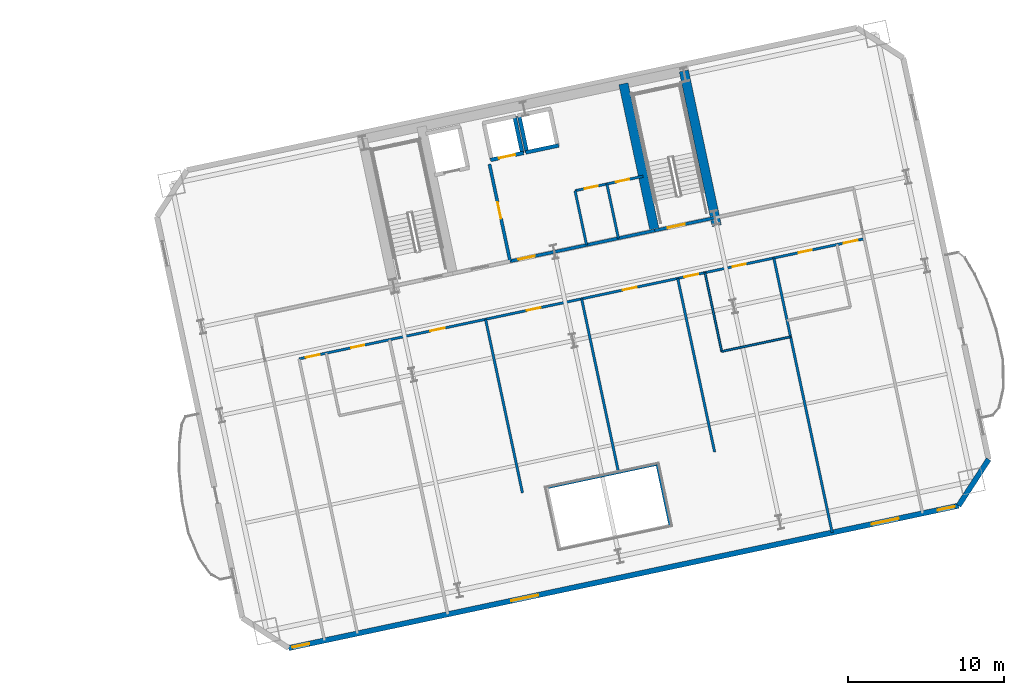
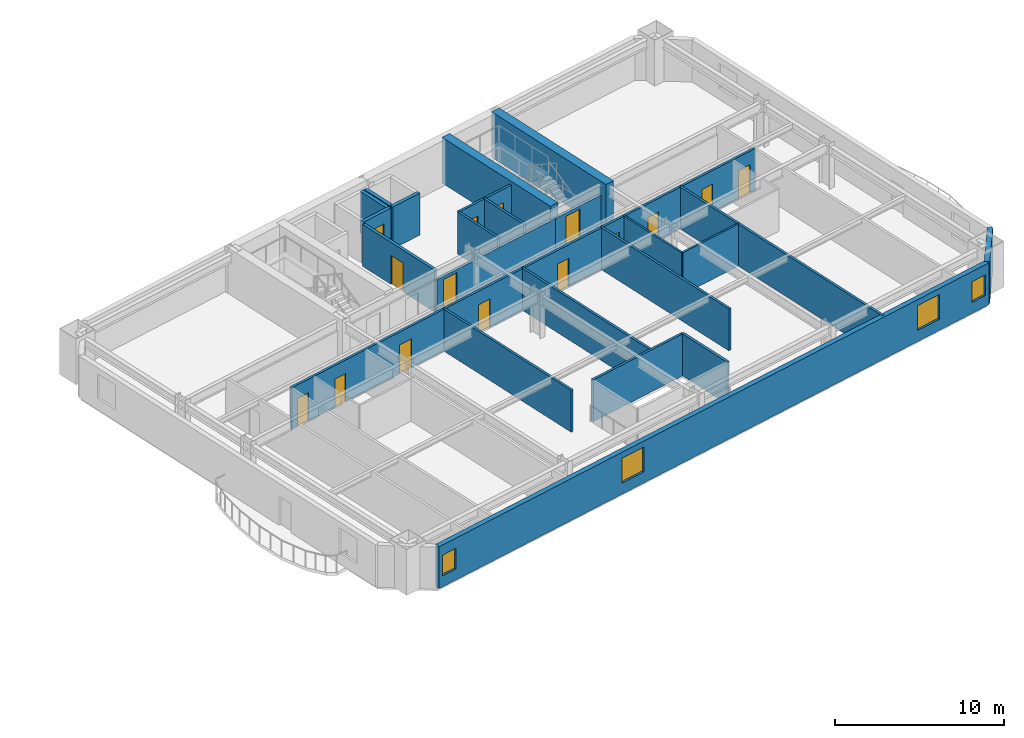
# One storey, part 8 of 16: 23 walls, 15 doors, 4 windows, 19 openings.
"""IFC4 building model written with IfcOpenShell, lengths in metres."""

from ifc_helpers import new_model, si_unit, direction, frame, frame_2d, origin, place, context, subcontext, project, spatial, rectangle, extrude, material, layer, layer_set, type_object, element, fill, save


model = new_model("IFC4")

# Units and contexts
model_context = context("Model", 3, precision=1e-05, world=origin(), true_north=direction((0.0, 1.0)))
body_context = subcontext(model_context, "Body", "Model", "MODEL_VIEW")
ifc_project = project(units=[si_unit("LENGTHUNIT", "METRE"), si_unit("AREAUNIT", "SQUARE_METRE"), si_unit("VOLUMEUNIT", "CUBIC_METRE"), si_unit("PLANEANGLEUNIT", "RADIAN"), si_unit("MASSUNIT", "GRAM", prefix="KILO")], contexts=[model_context])

# Site, building, storey
site_placement = place(None, origin())
site = spatial("IfcSite", under=ifc_project, at=site_placement, CompositionType="ELEMENT")
building_placement = place(site_placement, origin())
building = spatial("IfcBuilding", under=site, at=building_placement, Name="Haevon Station Towers", CompositionType="ELEMENT")
storey_placement = place(building_placement, frame((0.0, 0.0, 53.699951171875)))
storey = spatial("IfcBuildingStorey", under=building, at=storey_placement, Name="L13", CompositionType="ELEMENT", Elevation=53.699951171875)

# Wall
ifc_material_1 = material(Name="Gypsum board on steel stud", Category="steel")
ifc_layer_1 = layer(ifc_material_1, 0.179931640625)
ifc_layer_set_1 = layer_set([ifc_layer_1], Name="Gypsum board on steel stud")
wall_type_1 = type_object("IfcWallType", Name="WL-ACU180", PredefinedType="PARTITIONING", material=ifc_layer_set_1)
wall_1_placement = place(storey_placement, frame((116.421875, 22.131591796875, 0.0), z_axis=(0.0, 0.0, 1.0), x_axis=(-0.207944891454, 0.978140543132, 0.0)))
element("IfcWall", 1, at=wall_1_placement, inside=storey, type_object=wall_type_1, Name="WL-T2PT-L13-09", PredefinedType="PARTITIONING", context=body_context, shape_type="SweptSolid", body=[
    extrude(rectangle(XDim=4.0, YDim=0.179931640625, at=frame_2d((2.0, 0.0))), origin(), (0.0, 0.0, 1.0), 3.030029296875),
])

# Wall, opening, door
ifc_layer_2 = layer(ifc_material_1, 0.199951171875)
ifc_layer_set_2 = layer_set([ifc_layer_2], Name="Gypsum board on steel stud")
wall_type_2 = type_object("IfcWallType", Name="WL-COR200", PredefinedType="PARTITIONING", material=ifc_layer_set_2)
wall_2_placement = place(storey_placement, frame((115.4296875, 40.9873046875, 0.0), z_axis=(0.0, 0.0, 1.0), x_axis=(0.978146596989, 0.207916413008, 0.0)))
wall_2 = element("IfcWall", 2, at=wall_2_placement, inside=storey, type_object=wall_type_2, Name="WL-ST-ST4-L13", PredefinedType="PARTITIONING", context=body_context, shape_type="SweptSolid", body=[
    extrude(rectangle(XDim=3.9501953125, YDim=0.199951171875, at=frame_2d((1.97509765625, 0.0))), origin(), (0.0, 0.0, 1.0), 2.330078125),
])
opening_1_placement = place(wall_2_placement, frame((0.85009765625, 0.0, 0.0)))
opening_1 = element("IfcOpeningElement", 3, at=opening_1_placement, cuts=wall_2, Name="Opening DR-ST-ST4-L13", PredefinedType="OPENING", context=body_context, shape_type="SweptSolid", body=[
    extrude(rectangle(XDim=1.1201171875, YDim=2.10009765625, at=frame_2d((0.56005859375, 1.050048828125))), frame((0.0, 0.10986328125, 0.0), z_axis=(0.0, -1.0, 0.0), x_axis=(1.0, 0.0, 0.0)), (0.0, 0.0, 1.0), 0.219970703125),
])
ifc_material_2 = material(Name="Engineered oak timber", Category="wood")
door_type_1 = type_object("IfcDoorType", Name="DR-ST-1120", OperationType="NOTDEFINED", PredefinedType="DOOR", material=ifc_material_2)
door_1_placement = place(opening_1_placement, origin())
door_1 = element("IfcDoor", 4, at=door_1_placement, inside=storey, type_object=door_type_1, Name="L13 Escape Stair ST4 Fire Door", OperationType="SINGLE_SWING_LEFT", OverallHeight=2.10009765625, OverallWidth=1.1201171875, PredefinedType="DOOR", context=body_context, shape_type="SweptSolid", body=[
    extrude(rectangle(XDim=1.1201171875, YDim=2.10009765625, at=frame_2d((0.56005859375, 1.050048828125))), frame((0.0, 0.02490234375, 0.0), z_axis=(0.0, -1.0, 0.0), x_axis=(1.0, 0.0, 0.0)), (0.0, 0.0, 1.0), 0.050048828125),
])
fill(opening_1, door_1)

wall_3_placement = place(storey_placement, frame((106.186279296875, 39.0224609375, 0.0), z_axis=(0.0, 0.0, 1.0), x_axis=(-0.207916691923, 0.978146537703, 0.0)))
wall_3 = element("IfcWall", 5, at=wall_3_placement, inside=storey, type_object=wall_type_2, Name="WL-T2FFL-L13-E", PredefinedType="PARTITIONING", context=body_context, shape_type="SweptSolid", body=[
    extrude(rectangle(XDim=6.35009765625, YDim=0.199951171875, at=frame_2d((3.175048828125, 0.0))), origin(), (0.0, 0.0, 1.0), 3.030029296875),
])
opening_2_placement = place(wall_3_placement, frame((2.800048828125, 0.0, 0.0)))
opening_2 = element("IfcOpeningElement", 6, at=opening_2_placement, cuts=wall_3, Name="Opening DR-T2FFL-L13-E", PredefinedType="OPENING", context=body_context, shape_type="SweptSolid", body=[
    extrude(rectangle(XDim=1.050048828125, YDim=2.10009765625, at=frame_2d((0.52490234375, 1.050048828125))), frame((0.0, 0.10986328125, 0.0), z_axis=(0.0, -1.0, 0.0), x_axis=(1.0, 0.0, 0.0)), (0.0, 0.0, 1.0), 0.219970703125),
])
door_type_2 = type_object("IfcDoorType", Name="DR-FD60-1050", OperationType="NOTDEFINED", PredefinedType="DOOR", material=ifc_material_2)
door_2_placement = place(opening_2_placement, origin())
door_2 = element("IfcDoor", 7, at=door_2_placement, inside=storey, type_object=door_type_2, Name="L13 Tower 2 Firefighting Lift Lobby Door E", OperationType="SINGLE_SWING_RIGHT", OverallHeight=2.10009765625, OverallWidth=1.050048828125, PredefinedType="DOOR", context=body_context, shape_type="SweptSolid", body=[
    extrude(rectangle(XDim=1.050048828125, YDim=2.10009765625, at=frame_2d((0.52490234375, 1.050048828125))), frame((0.0, 0.02490234375, 0.0), z_axis=(0.0, -1.0, 0.0), x_axis=(1.0, 0.0, 0.0)), (0.0, 0.0, 1.0), 0.050048828125),
])
fill(opening_2, door_2)

wall_4_placement = place(storey_placement, frame((106.186279296875, 39.0224609375, 0.0), z_axis=(0.0, 0.0, 1.0), x_axis=(0.978145519981, 0.20792147975, 0.0)))
wall_4 = element("IfcWall", 8, at=wall_4_placement, inside=storey, type_object=wall_type_2, Name="WL-T2CLB-L13", PredefinedType="PARTITIONING", context=body_context, shape_type="SweptSolid", body=[
    extrude(rectangle(XDim=9.449951171875, YDim=0.199951171875, at=frame_2d((4.72509765625, 0.0))), origin(), (0.0, 0.0, 1.0), 2.330078125),
])
opening_3_placement = place(wall_4_placement, frame((0.550048828125, 0.0, 0.0)))
opening_3 = element("IfcOpeningElement", 9, at=opening_3_placement, cuts=wall_4, Name="Opening DR-T2CLB-L13-1", PredefinedType="OPENING", context=body_context, shape_type="SweptSolid", body=[
    extrude(rectangle(XDim=1.050048828125, YDim=2.10009765625, at=frame_2d((0.52490234375, 1.050048828125))), frame((0.0, 0.10986328125, 0.0), z_axis=(0.0, -1.0, 0.0), x_axis=(1.0, 0.0, 0.0)), (0.0, 0.0, 1.0), 0.219970703125),
])
door_3_placement = place(opening_3_placement, origin())
door_3 = element("IfcDoor", 10, at=door_3_placement, inside=storey, type_object=door_type_2, Name="L13 Tower 2 Core Lift Lobby Door 1", OperationType="SINGLE_SWING_RIGHT", OverallHeight=2.10009765625, OverallWidth=1.050048828125, PredefinedType="DOOR", context=body_context, shape_type="SweptSolid", body=[
    extrude(rectangle(XDim=1.050048828125, YDim=2.10009765625, at=frame_2d((0.52490234375, 1.050048828125))), frame((0.0, 0.02490234375, 0.0), z_axis=(0.0, -1.0, 0.0), x_axis=(1.0, 0.0, 0.0)), (0.0, 0.0, 1.0), 0.050048828125),
])
fill(opening_3, door_3)

# Walls
ifc_material_3 = material(Name="Concrete C60/75", Category="concrete")
ifc_layer_3 = layer(ifc_material_3, 0.60009765625)
ifc_layer_set_3 = layer_set([ifc_layer_3], Name="Concrete C60/75")
wall_type_3 = type_object("IfcWallType", Name="WL-CR600", PredefinedType="SHEAR", material=ifc_layer_set_3)
wall_5_placement = place(storey_placement, frame((119.401611328125, 41.2998046875, 0.0), z_axis=(0.0, 0.0, 1.0), x_axis=(-0.207904342798, 0.978149162575, 0.0)))
element("IfcWall", 11, at=wall_5_placement, inside=storey, type_object=wall_type_3, Name="WL-T2CR-L13-E", PredefinedType="SHEAR", context=body_context, shape_type="SweptSolid", body=[
    extrude(rectangle(XDim=10.1201171875, YDim=0.60009765625, at=frame_2d((5.06005859375, 0.0))), origin(), (0.0, 0.0, 1.0), 3.300048828125),
])
wall_6_placement = place(storey_placement, frame((115.4296875, 40.9873046875, 0.0), z_axis=(0.0, 0.0, 1.0), x_axis=(-0.207903162969, 0.978149413345, 0.0)))
element("IfcWall", 12, at=wall_6_placement, inside=storey, type_object=wall_type_3, Name="WL-T2CR-L13-M2", PredefinedType="SHEAR", context=body_context, shape_type="SweptSolid", body=[
    extrude(rectangle(XDim=9.599853515625, YDim=0.60009765625, at=frame_2d((4.7998046875, 0.0))), origin(), (0.0, 0.0, 1.0), 3.300048828125),
])

# Wall, openings, windows
ifc_material_4 = material(Name="Precast concrete C45/55", Category="concrete")
ifc_layer_4 = layer(ifc_material_4, 0.340087890625)
ifc_layer_set_4 = layer_set([ifc_layer_4], Name="Precast concrete C45/55")
wall_type_4 = type_object("IfcWallType", Name="WL-EXT-PIER340", PredefinedType="SOLIDWALL", material=ifc_layer_set_4)
wall_7_placement = place(storey_placement, frame((134.862548828125, 23.39306640625, 0.0), z_axis=(0.0, 0.0, 1.0), x_axis=(-0.978148154167, -0.207909087104, 0.0)))
wall_7 = element("IfcWall", 13, at=wall_7_placement, inside=storey, type_object=wall_type_4, Name="WL-T2-L13-S", PredefinedType="SOLIDWALL", context=body_context, shape_type="SweptSolid", body=[
    extrude(rectangle(XDim=43.800048828125, YDim=0.340087890625, at=frame_2d((21.89990234375, 0.0))), origin(), (0.0, 0.0, 1.0), 3.030029296875),
])
opening_4_placement = place(wall_7_placement, frame((42.449951171875, 0.0, 0.800048828125)))
opening_4 = element("IfcOpeningElement", 14, at=opening_4_placement, cuts=wall_7, Name="Opening WN-COR110", PredefinedType="OPENING", context=body_context, shape_type="SweptSolid", body=[
    extrude(rectangle(XDim=1.10009765625, YDim=1.5, at=frame_2d((0.550048828125, 0.75))), frame((0.0, 0.179931640625, 0.0), z_axis=(0.0, -1.0, 0.0), x_axis=(1.0, 0.0, 0.0)), (0.0, 0.0, 1.0), 0.360107421875),
])
opening_5_placement = place(wall_7_placement, frame((0.25, 0.0, 0.800048828125)))
opening_5 = element("IfcOpeningElement", 15, at=opening_5_placement, cuts=wall_7, Name="Opening WN-COR110", PredefinedType="OPENING", context=body_context, shape_type="SweptSolid", body=[
    extrude(rectangle(XDim=1.10009765625, YDim=1.5, at=frame_2d((0.550048828125, 0.75))), frame((0.0, 0.179931640625, 0.0), z_axis=(0.0, -1.0, 0.0), x_axis=(1.0, 0.0, 0.0)), (0.0, 0.0, 1.0), 0.360107421875),
])
opening_6_placement = place(wall_7_placement, frame((27.486572265625, 0.0, 0.800048828125)))
opening_6 = element("IfcOpeningElement", 16, at=opening_6_placement, cuts=wall_7, Name="Opening WN-P175", PredefinedType="OPENING", context=body_context, shape_type="SweptSolid", body=[
    extrude(rectangle(XDim=1.75, YDim=1.800048828125, at=frame_2d((0.875, 0.89990234375))), frame((0.0, 0.179931640625, 0.0), z_axis=(0.0, -1.0, 0.0), x_axis=(1.0, 0.0, 0.0)), (0.0, 0.0, 1.0), 0.360107421875),
])
opening_7_placement = place(wall_7_placement, frame((3.920654296875, 0.0, 0.800048828125)))
opening_7 = element("IfcOpeningElement", 17, at=opening_7_placement, cuts=wall_7, Name="Opening WN-P175", PredefinedType="OPENING", context=body_context, shape_type="SweptSolid", body=[
    extrude(rectangle(XDim=1.75, YDim=1.800048828125, at=frame_2d((0.875, 0.89990234375))), frame((0.0, 0.179931640625, 0.0), z_axis=(0.0, -1.0, 0.0), x_axis=(1.0, 0.0, 0.0)), (0.0, 0.0, 1.0), 0.360107421875),
])
ifc_material_5 = material(Name="Low-E triple glazing in thermally broken aluminium", Category="aluminium")
window_type_1 = type_object("IfcWindowType", Name="WN-COR110", PartitioningType="SINGLE_PANEL", PredefinedType="WINDOW", material=ifc_material_5)
window_1_placement = place(opening_4_placement, origin())
window_1 = element("IfcWindow", 18, at=window_1_placement, inside=storey, type_object=window_type_1, Name="WN-T2-L13-S01", OverallHeight=1.5, OverallWidth=1.10009765625, PartitioningType="SINGLE_PANEL", PredefinedType="WINDOW", context=body_context, shape_type="SweptSolid", body=[
    extrude(rectangle(XDim=1.10009765625, YDim=1.5, at=frame_2d((0.550048828125, 0.75))), frame((0.0, 0.030029296875, 0.0), z_axis=(0.0, -1.0, 0.0), x_axis=(1.0, 0.0, 0.0)), (0.0, 0.0, 1.0), 0.06005859375),
])
fill(opening_4, window_1)
window_2_placement = place(opening_5_placement, origin())
window_2 = element("IfcWindow", 19, at=window_2_placement, inside=storey, type_object=window_type_1, Name="WN-T2-L13-S02", OverallHeight=1.5, OverallWidth=1.10009765625, PartitioningType="SINGLE_PANEL", PredefinedType="WINDOW", context=body_context, shape_type="SweptSolid", body=[
    extrude(rectangle(XDim=1.10009765625, YDim=1.5, at=frame_2d((0.550048828125, 0.75))), frame((0.0, 0.030029296875, 0.0), z_axis=(0.0, -1.0, 0.0), x_axis=(1.0, 0.0, 0.0)), (0.0, 0.0, 1.0), 0.06005859375),
])
fill(opening_5, window_2)
window_type_2 = type_object("IfcWindowType", Name="WN-P175", PartitioningType="SINGLE_PANEL", PredefinedType="WINDOW", material=ifc_material_5)
window_3_placement = place(opening_6_placement, origin())
window_3 = element("IfcWindow", 20, at=window_3_placement, inside=storey, type_object=window_type_2, Name="WN-T2-L13-S03", OverallHeight=1.800048828125, OverallWidth=1.75, PartitioningType="SINGLE_PANEL", PredefinedType="WINDOW", context=body_context, shape_type="SweptSolid", body=[
    extrude(rectangle(XDim=1.75, YDim=1.800048828125, at=frame_2d((0.875, 0.89990234375))), frame((0.0, 0.030029296875, 0.0), z_axis=(0.0, -1.0, 0.0), x_axis=(1.0, 0.0, 0.0)), (0.0, 0.0, 1.0), 0.06005859375),
])
fill(opening_6, window_3)
window_4_placement = place(opening_7_placement, origin())
window_4 = element("IfcWindow", 21, at=window_4_placement, inside=storey, type_object=window_type_2, Name="WN-T2-L13-S04", OverallHeight=1.800048828125, OverallWidth=1.75, PartitioningType="SINGLE_PANEL", PredefinedType="WINDOW", context=body_context, shape_type="SweptSolid", body=[
    extrude(rectangle(XDim=1.75, YDim=1.800048828125, at=frame_2d((0.875, 0.89990234375))), frame((0.0, 0.030029296875, 0.0), z_axis=(0.0, -1.0, 0.0), x_axis=(1.0, 0.0, 0.0)), (0.0, 0.0, 1.0), 0.06005859375),
])
fill(opening_7, window_4)

# Walls
wall_8_placement = place(storey_placement, frame((136.7880859375, 26.358154296875, 0.0), z_axis=(0.0, 0.0, 1.0), x_axis=(-0.544636352948, -0.838672309694, 0.0)))
element("IfcWall", 22, at=wall_8_placement, inside=storey, type_object=wall_type_4, Name="WL-T2-L13-SEC", PredefinedType="SOLIDWALL", context=body_context, shape_type="SweptSolid", body=[
    extrude(rectangle(XDim=3.535400390625, YDim=0.340087890625, at=frame_2d((1.767578125, 0.0))), origin(), (0.0, 0.0, 1.0), 3.030029296875),
])
ifc_layer_5 = layer(ifc_material_1, 0.125)
ifc_layer_set_5 = layer_set([ifc_layer_5], Name="Gypsum board on steel stud")
wall_type_5 = type_object("IfcWallType", Name="WL-PRT125", PredefinedType="PARTITIONING", material=ifc_layer_set_5)
wall_9_placement = place(storey_placement, frame((119.717529296875, 33.25537109375, 0.0), z_axis=(0.0, 0.0, 1.0), x_axis=(0.978141617635, 0.207939837095, 0.0)))
element("IfcWall", 23, at=wall_9_placement, inside=storey, type_object=wall_type_5, Name="WL-T2PT-L13-18", PredefinedType="PARTITIONING", context=body_context, shape_type="SweptSolid", body=[
    extrude(rectangle(XDim=4.50146484375, YDim=0.125, at=frame_2d((2.250732421875, 0.0))), origin(), (0.0, 0.0, 1.0), 3.030029296875),
])
wall_10_placement = place(storey_placement, frame((119.717529296875, 33.25537109375, 0.0), z_axis=(0.0, 0.0, 1.0), x_axis=(-0.207934097981, 0.978142837676, 0.0)))
element("IfcWall", 24, at=wall_10_placement, inside=storey, type_object=wall_type_5, Name="WL-T2PT-L13-19", PredefinedType="PARTITIONING", context=body_context, shape_type="SweptSolid", body=[
    extrude(rectangle(XDim=5.154296875, YDim=0.125, at=frame_2d((2.5771484375, 0.0))), origin(), (0.0, 0.0, 1.0), 3.030029296875),
])
ifc_layer_6 = layer(ifc_material_1, 0.159912109375)
ifc_layer_set_6 = layer_set([ifc_layer_6], Name="Gypsum board on steel stud")
wall_type_6 = type_object("IfcWallType", Name="WL-PRT160", PredefinedType="PARTITIONING", material=ifc_layer_set_6)
for number, where, z_axis, x_axis, name in (
    (25, (111.076904296875, 40.06201171875, 0.0), (0.0, 0.0, 1.0), (-0.207899058817, 0.978150285663, 0.0), "WL-T2CW-L13-01"),
    (26, (113.111572265625, 40.49462890625, 0.0), (0.0, 0.0, 1.0), (-0.207899058817, 0.978150285663, 0.0), "WL-T2CW-L13-02"),
):
    element("IfcWall", number, at=place(storey_placement, frame(where, z_axis=z_axis, x_axis=x_axis)), inside=storey, type_object=wall_type_6, Name=name, PredefinedType="PARTITIONING", context=body_context, shape_type="SweptSolid", body=[
        extrude(rectangle(XDim=3.550048828125, YDim=0.159912109375, at=frame_2d((1.77490234375, 0.0))), origin(), (0.0, 0.0, 1.0), 3.030029296875),
    ])

# Wall, openings, doors
wall_11_placement = place(storey_placement, frame((110.3388671875, 43.534423828125, 0.0), z_axis=(0.0, 0.0, 1.0), x_axis=(0.978143929138, 0.207928963567, 0.0)))
wall_11 = element("IfcWall", 27, at=wall_11_placement, inside=storey, type_object=wall_type_6, Name="WL-T2CW-L13-03", PredefinedType="PARTITIONING", context=body_context, shape_type="SweptSolid", body=[
    extrude(rectangle(XDim=4.449951171875, YDim=0.159912109375, at=frame_2d((2.22509765625, 0.0))), origin(), (0.0, 0.0, 1.0), 3.030029296875),
])
opening_8_placement = place(wall_11_placement, frame((0.635009765625, 0.0, 0.0)))
opening_8 = element("IfcOpeningElement", 28, at=opening_8_placement, cuts=wall_11, Name="Opening DR-WL-T2CW-L13-03-1", PredefinedType="OPENING", context=body_context, shape_type="SweptSolid", body=[
    extrude(rectangle(XDim=0.85009765625, YDim=2.050048828125, at=frame_2d((0.425048828125, 1.02490234375))), frame((0.0, 0.08984375, 0.0), z_axis=(0.0, -1.0, 0.0), x_axis=(1.0, 0.0, 0.0)), (0.0, 0.0, 1.0), 0.179931640625),
])
opening_9_placement = place(wall_11_placement, frame((2.679931640625, 0.0, 0.0)))
opening_9 = element("IfcOpeningElement", 29, at=opening_9_placement, cuts=wall_11, Name="Opening DR-WL-T2CW-L13-03-2", PredefinedType="OPENING", context=body_context, shape_type="SweptSolid", body=[
    extrude(rectangle(XDim=0.85009765625, YDim=2.050048828125, at=frame_2d((0.425048828125, 1.02490234375))), frame((0.0, 0.08984375, 0.0), z_axis=(0.0, -1.0, 0.0), x_axis=(1.0, 0.0, 0.0)), (0.0, 0.0, 1.0), 0.179931640625),
])
door_type_3 = type_object("IfcDoorType", Name="DR-FD30-850", OperationType="NOTDEFINED", PredefinedType="DOOR", material=ifc_material_2)
door_4_placement = place(opening_8_placement, origin())
door_4 = element("IfcDoor", 30, at=door_4_placement, inside=storey, type_object=door_type_3, Name="L13 Tower 2 Core Room Door 3-1", OperationType="SINGLE_SWING_LEFT", OverallHeight=2.050048828125, OverallWidth=0.85009765625, PredefinedType="DOOR", context=body_context, shape_type="SweptSolid", body=[
    extrude(rectangle(XDim=0.85009765625, YDim=2.050048828125, at=frame_2d((0.425048828125, 1.02490234375))), frame((0.0, 0.02490234375, 0.0), z_axis=(0.0, -1.0, 0.0), x_axis=(1.0, 0.0, 0.0)), (0.0, 0.0, 1.0), 0.050048828125),
])
fill(opening_8, door_4)
door_5_placement = place(opening_9_placement, origin())
door_5 = element("IfcDoor", 31, at=door_5_placement, inside=storey, type_object=door_type_3, Name="L13 Tower 2 Core Room Door 3-2", OperationType="SINGLE_SWING_RIGHT", OverallHeight=2.050048828125, OverallWidth=0.85009765625, PredefinedType="DOOR", context=body_context, shape_type="SweptSolid", body=[
    extrude(rectangle(XDim=0.85009765625, YDim=2.050048828125, at=frame_2d((0.425048828125, 1.02490234375))), frame((0.0, 0.02490234375, 0.0), z_axis=(0.0, -1.0, 0.0), x_axis=(1.0, 0.0, 0.0)), (0.0, 0.0, 1.0), 0.050048828125),
])
fill(opening_9, door_5)

# Walls
wall_12_placement = place(storey_placement, frame((108.54736328125, 24.547119140625, 0.0), z_axis=(0.0, 0.0, 1.0), x_axis=(0.978144974276, 0.207924046946, 0.0)))
element("IfcWall", 32, at=wall_12_placement, inside=storey, type_object=wall_type_6, Name="WL-T2PT-L13-07", PredefinedType="PARTITIONING", context=body_context, shape_type="SweptSolid", body=[
    extrude(rectangle(XDim=7.2001953125, YDim=0.159912109375, at=frame_2d((3.60009765625, 0.0))), origin(), (0.0, 0.0, 1.0), 3.030029296875),
])
for number, where, z_axis, x_axis, name in (
    (33, (106.97607421875, 24.213134765625, 0.0), (0.0, 0.0, 1.0), (-0.20791586684, 0.978146713084, 0.0), "WL-T2PT-L13-13"),
    (34, (113.120361328125, 25.51904296875, 0.0), (0.0, 0.0, 1.0), (-0.20791586684, 0.978146713084, 0.0), "WL-T2PT-L13-14"),
):
    element("IfcWall", number, at=place(storey_placement, frame(where, z_axis=z_axis, x_axis=x_axis)), inside=storey, type_object=wall_type_6, Name=name, PredefinedType="PARTITIONING", context=body_context, shape_type="SweptSolid", body=[
        extrude(rectangle(XDim=11.35009765625, YDim=0.159912109375, at=frame_2d((5.675048828125, 0.0))), origin(), (0.0, 0.0, 1.0), 3.030029296875),
    ])
wall_13_placement = place(storey_placement, frame((119.2646484375, 26.8251953125, 0.0), z_axis=(0.0, 0.0, 1.0), x_axis=(-0.20792024147, 0.978145783197, 0.0)))
element("IfcWall", 35, at=wall_13_placement, inside=storey, type_object=wall_type_6, Name="WL-T2PT-L13-16", PredefinedType="PARTITIONING", context=body_context, shape_type="SweptSolid", body=[
    extrude(rectangle(XDim=11.349853515625, YDim=0.159912109375, at=frame_2d((5.6748046875, 0.0))), origin(), (0.0, 0.0, 1.0), 3.030029296875),
])
wall_14_placement = place(storey_placement, frame((126.781005859375, 21.67529296875, 0.0), z_axis=(0.0, 0.0, 1.0), x_axis=(-0.207906091967, 0.978148790789, 0.0)))
element("IfcWall", 36, at=wall_14_placement, inside=storey, type_object=wall_type_6, Name="WL-T2PT-L13-20", PredefinedType="PARTITIONING", context=body_context, shape_type="SweptSolid", body=[
    extrude(rectangle(XDim=17.9501953125, YDim=0.159912109375, at=frame_2d((8.97509765625, 0.0))), origin(), (0.0, 0.0, 1.0), 3.030029296875),
])

# Wall, openings, doors
wall_15_placement = place(storey_placement, frame((92.689208984375, 32.780029296875, 0.0), z_axis=(0.0, 0.0, 1.0), x_axis=(0.97814877431, 0.207906169498, 0.0)))
wall_15 = element("IfcWall", 37, at=wall_15_placement, inside=storey, type_object=wall_type_6, Name="WL-T2PT-L13-23", PredefinedType="PARTITIONING", context=body_context, shape_type="SweptSolid", body=[
    extrude(rectangle(XDim=36.949951171875, YDim=0.159912109375, at=frame_2d((18.47509765625, 0.0))), origin(), (0.0, 0.0, 1.0), 3.030029296875),
])
opening_10_placement = place(wall_15_placement, frame((3.4208984375, 0.0, 0.0)))
opening_10 = element("IfcOpeningElement", 38, at=opening_10_placement, cuts=wall_15, Name="Opening DR-WL-T2PT-L13-23-01", PredefinedType="OPENING", context=body_context, shape_type="SweptSolid", body=[
    extrude(rectangle(XDim=0.85009765625, YDim=2.050048828125, at=frame_2d((0.425048828125, 1.02490234375))), frame((0.0, 0.08984375, 0.0), z_axis=(0.0, -1.0, 0.0), x_axis=(1.0, 0.0, 0.0)), (0.0, 0.0, 1.0), 0.179931640625),
])
opening_11_placement = place(wall_15_placement, frame((0.43994140625, 0.0, 0.0)))
opening_11 = element("IfcOpeningElement", 39, at=opening_11_placement, cuts=wall_15, Name="Opening DR-WL-T2PT-L13-23-02", PredefinedType="OPENING", context=body_context, shape_type="SweptSolid", body=[
    extrude(rectangle(XDim=0.89990234375, YDim=2.050048828125, at=frame_2d((0.449951171875, 1.02490234375))), frame((0.0, 0.08984375, 0.0), z_axis=(0.0, -1.0, 0.0), x_axis=(1.0, 0.0, 0.0)), (0.0, 0.0, 1.0), 0.179931640625),
])
opening_12_placement = place(wall_15_placement, frame((8.577880859375, 0.0, 0.0)))
opening_12 = element("IfcOpeningElement", 40, at=opening_12_placement, cuts=wall_15, Name="Opening DR-WL-T2PT-L13-23-03", PredefinedType="OPENING", context=body_context, shape_type="SweptSolid", body=[
    extrude(rectangle(XDim=0.949951171875, YDim=2.10009765625, at=frame_2d((0.47509765625, 1.050048828125))), frame((0.0, 0.08984375, 0.0), z_axis=(0.0, -1.0, 0.0), x_axis=(1.0, 0.0, 0.0)), (0.0, 0.0, 1.0), 0.179931640625),
])
opening_13_placement = place(wall_15_placement, frame((14.884033203125, 0.0, 0.0)))
opening_13 = element("IfcOpeningElement", 41, at=opening_13_placement, cuts=wall_15, Name="Opening DR-WL-T2PT-L13-23-04", PredefinedType="OPENING", context=body_context, shape_type="SweptSolid", body=[
    extrude(rectangle(XDim=0.89990234375, YDim=2.050048828125, at=frame_2d((0.449951171875, 1.02490234375))), frame((0.0, 0.08984375, 0.0), z_axis=(0.0, -1.0, 0.0), x_axis=(1.0, 0.0, 0.0)), (0.0, 0.0, 1.0), 0.179931640625),
])
opening_14_placement = place(wall_15_placement, frame((21.166015625, 0.0, 0.0)))
opening_14 = element("IfcOpeningElement", 42, at=opening_14_placement, cuts=wall_15, Name="Opening DR-WL-T2PT-L13-23-05", PredefinedType="OPENING", context=body_context, shape_type="SweptSolid", body=[
    extrude(rectangle(XDim=0.89990234375, YDim=2.050048828125, at=frame_2d((0.449951171875, 1.02490234375))), frame((0.0, 0.08984375, 0.0), z_axis=(0.0, -1.0, 0.0), x_axis=(1.0, 0.0, 0.0)), (0.0, 0.0, 1.0), 0.179931640625),
])
opening_15_placement = place(wall_15_placement, frame((28.362060546875, 0.0, 0.0)))
opening_15 = element("IfcOpeningElement", 43, at=opening_15_placement, cuts=wall_15, Name="Opening DR-WL-T2PT-L13-23-06", PredefinedType="OPENING", context=body_context, shape_type="SweptSolid", body=[
    extrude(rectangle(XDim=0.85009765625, YDim=2.050048828125, at=frame_2d((0.425048828125, 1.02490234375))), frame((0.0, 0.08984375, 0.0), z_axis=(0.0, -1.0, 0.0), x_axis=(1.0, 0.0, 0.0)), (0.0, 0.0, 1.0), 0.179931640625),
])
opening_16_placement = place(wall_15_placement, frame((25.196044921875, 0.0, 0.0)))
opening_16 = element("IfcOpeningElement", 44, at=opening_16_placement, cuts=wall_15, Name="Opening DR-WL-T2PT-L13-23-07", PredefinedType="OPENING", context=body_context, shape_type="SweptSolid", body=[
    extrude(rectangle(XDim=0.89990234375, YDim=2.050048828125, at=frame_2d((0.449951171875, 1.02490234375))), frame((0.0, 0.08984375, 0.0), z_axis=(0.0, -1.0, 0.0), x_axis=(1.0, 0.0, 0.0)), (0.0, 0.0, 1.0), 0.179931640625),
])
opening_17_placement = place(wall_15_placement, frame((32.678955078125, 0.0, 0.0)))
opening_17 = element("IfcOpeningElement", 45, at=opening_17_placement, cuts=wall_15, Name="Opening DR-WL-T2PT-L13-23-08", PredefinedType="OPENING", context=body_context, shape_type="SweptSolid", body=[
    extrude(rectangle(XDim=0.85009765625, YDim=2.050048828125, at=frame_2d((0.425048828125, 1.02490234375))), frame((0.0, 0.08984375, 0.0), z_axis=(0.0, -1.0, 0.0), x_axis=(1.0, 0.0, 0.0)), (0.0, 0.0, 1.0), 0.179931640625),
])
opening_18_placement = place(wall_15_placement, frame((35.610107421875, 0.0, 0.0)))
opening_18 = element("IfcOpeningElement", 46, at=opening_18_placement, cuts=wall_15, Name="Opening DR-WL-T2PT-L13-23-09", PredefinedType="OPENING", context=body_context, shape_type="SweptSolid", body=[
    extrude(rectangle(XDim=0.89990234375, YDim=2.050048828125, at=frame_2d((0.449951171875, 1.02490234375))), frame((0.0, 0.08984375, 0.0), z_axis=(0.0, -1.0, 0.0), x_axis=(1.0, 0.0, 0.0)), (0.0, 0.0, 1.0), 0.179931640625),
])
door_6_placement = place(opening_10_placement, origin())
door_6 = element("IfcDoor", 47, at=door_6_placement, inside=storey, type_object=door_type_3, Name="L13 Tower 2 Room Door 23-1", OperationType="SINGLE_SWING_LEFT", OverallHeight=2.050048828125, OverallWidth=0.85009765625, PredefinedType="DOOR", context=body_context, shape_type="SweptSolid", body=[
    extrude(rectangle(XDim=0.85009765625, YDim=2.050048828125, at=frame_2d((0.425048828125, 1.02490234375))), frame((0.0, 0.02490234375, 0.0), z_axis=(0.0, -1.0, 0.0), x_axis=(1.0, 0.0, 0.0)), (0.0, 0.0, 1.0), 0.050048828125),
])
fill(opening_10, door_6)
door_7_placement = place(opening_15_placement, origin())
door_7 = element("IfcDoor", 48, at=door_7_placement, inside=storey, type_object=door_type_3, Name="L13 Tower 2 Room Door 23-6", OperationType="SINGLE_SWING_RIGHT", OverallHeight=2.050048828125, OverallWidth=0.85009765625, PredefinedType="DOOR", context=body_context, shape_type="SweptSolid", body=[
    extrude(rectangle(XDim=0.85009765625, YDim=2.050048828125, at=frame_2d((0.425048828125, 1.02490234375))), frame((0.0, 0.02490234375, 0.0), z_axis=(0.0, -1.0, 0.0), x_axis=(1.0, 0.0, 0.0)), (0.0, 0.0, 1.0), 0.050048828125),
])
fill(opening_15, door_7)
door_8_placement = place(opening_17_placement, origin())
door_8 = element("IfcDoor", 49, at=door_8_placement, inside=storey, type_object=door_type_3, Name="L13 Tower 2 Room Door 23-8", OperationType="SINGLE_SWING_RIGHT", OverallHeight=2.050048828125, OverallWidth=0.85009765625, PredefinedType="DOOR", context=body_context, shape_type="SweptSolid", body=[
    extrude(rectangle(XDim=0.85009765625, YDim=2.050048828125, at=frame_2d((0.425048828125, 1.02490234375))), frame((0.0, 0.02490234375, 0.0), z_axis=(0.0, -1.0, 0.0), x_axis=(1.0, 0.0, 0.0)), (0.0, 0.0, 1.0), 0.050048828125),
])
fill(opening_17, door_8)
door_type_4 = type_object("IfcDoorType", Name="DR-FD30-950", OperationType="NOTDEFINED", PredefinedType="DOOR", material=ifc_material_2)
door_9_placement = place(opening_12_placement, origin())
door_9 = element("IfcDoor", 50, at=door_9_placement, inside=storey, type_object=door_type_4, Name="L13 Tower 2 Room Door 23-3", OperationType="SINGLE_SWING_LEFT", OverallHeight=2.10009765625, OverallWidth=0.949951171875, PredefinedType="DOOR", context=body_context, shape_type="SweptSolid", body=[
    extrude(rectangle(XDim=0.949951171875, YDim=2.10009765625, at=frame_2d((0.47509765625, 1.050048828125))), frame((0.0, 0.02490234375, 0.0), z_axis=(0.0, -1.0, 0.0), x_axis=(1.0, 0.0, 0.0)), (0.0, 0.0, 1.0), 0.050048828125),
])
fill(opening_12, door_9)
door_type_5 = type_object("IfcDoorType", Name="DR-INT-900", OperationType="NOTDEFINED", PredefinedType="DOOR", material=ifc_material_2)
door_10_placement = place(opening_11_placement, origin())
door_10 = element("IfcDoor", 51, at=door_10_placement, inside=storey, type_object=door_type_5, Name="L13 Tower 2 Room Door 23-2", OperationType="SINGLE_SWING_RIGHT", OverallHeight=2.050048828125, OverallWidth=0.89990234375, PredefinedType="DOOR", context=body_context, shape_type="SweptSolid", body=[
    extrude(rectangle(XDim=0.89990234375, YDim=2.050048828125, at=frame_2d((0.449951171875, 1.02490234375))), frame((0.0, 0.02490234375, 0.0), z_axis=(0.0, -1.0, 0.0), x_axis=(1.0, 0.0, 0.0)), (0.0, 0.0, 1.0), 0.050048828125),
])
fill(opening_11, door_10)
door_11_placement = place(opening_13_placement, origin())
door_11 = element("IfcDoor", 52, at=door_11_placement, inside=storey, type_object=door_type_5, Name="L13 Tower 2 Room Door 23-4", OperationType="SINGLE_SWING_RIGHT", OverallHeight=2.050048828125, OverallWidth=0.89990234375, PredefinedType="DOOR", context=body_context, shape_type="SweptSolid", body=[
    extrude(rectangle(XDim=0.89990234375, YDim=2.050048828125, at=frame_2d((0.449951171875, 1.02490234375))), frame((0.0, 0.02490234375, 0.0), z_axis=(0.0, -1.0, 0.0), x_axis=(1.0, 0.0, 0.0)), (0.0, 0.0, 1.0), 0.050048828125),
])
fill(opening_13, door_11)
door_12_placement = place(opening_14_placement, origin())
door_12 = element("IfcDoor", 53, at=door_12_placement, inside=storey, type_object=door_type_5, Name="L13 Tower 2 Room Door 23-5", OperationType="SINGLE_SWING_LEFT", OverallHeight=2.050048828125, OverallWidth=0.89990234375, PredefinedType="DOOR", context=body_context, shape_type="SweptSolid", body=[
    extrude(rectangle(XDim=0.89990234375, YDim=2.050048828125, at=frame_2d((0.449951171875, 1.02490234375))), frame((0.0, 0.02490234375, 0.0), z_axis=(0.0, -1.0, 0.0), x_axis=(1.0, 0.0, 0.0)), (0.0, 0.0, 1.0), 0.050048828125),
])
fill(opening_14, door_12)
door_13_placement = place(opening_16_placement, origin())
door_13 = element("IfcDoor", 54, at=door_13_placement, inside=storey, type_object=door_type_5, Name="L13 Tower 2 Room Door 23-7", OperationType="SINGLE_SWING_LEFT", OverallHeight=2.050048828125, OverallWidth=0.89990234375, PredefinedType="DOOR", context=body_context, shape_type="SweptSolid", body=[
    extrude(rectangle(XDim=0.89990234375, YDim=2.050048828125, at=frame_2d((0.449951171875, 1.02490234375))), frame((0.0, 0.02490234375, 0.0), z_axis=(0.0, -1.0, 0.0), x_axis=(1.0, 0.0, 0.0)), (0.0, 0.0, 1.0), 0.050048828125),
])
fill(opening_16, door_13)
door_14_placement = place(opening_18_placement, origin())
door_14 = element("IfcDoor", 55, at=door_14_placement, inside=storey, type_object=door_type_5, Name="L13 Tower 2 Room Door 23-9", OperationType="SINGLE_SWING_LEFT", OverallHeight=2.050048828125, OverallWidth=0.89990234375, PredefinedType="DOOR", context=body_context, shape_type="SweptSolid", body=[
    extrude(rectangle(XDim=0.89990234375, YDim=2.050048828125, at=frame_2d((0.449951171875, 1.02490234375))), frame((0.0, 0.02490234375, 0.0), z_axis=(0.0, -1.0, 0.0), x_axis=(1.0, 0.0, 0.0)), (0.0, 0.0, 1.0), 0.050048828125),
])
fill(opening_18, door_14)

# Wall, opening, door
ifc_material_6 = material(Name="Concrete C40/50", Category="concrete")
ifc_layer_7 = layer(ifc_material_6, 0.239990234375)
ifc_layer_set_7 = layer_set([ifc_layer_7], Name="Concrete C40/50")
wall_type_7 = type_object("IfcWallType", Name="WL-SHF240", PredefinedType="PARTITIONING", material=ifc_layer_set_7)
wall_16_placement = place(storey_placement, frame((104.931396484375, 45.503173828125, 0.0), z_axis=(0.0, 0.0, 1.0), x_axis=(0.97813528961, 0.207969601673, 0.0)))
wall_16 = element("IfcWall", 56, at=wall_16_placement, inside=storey, type_object=wall_type_7, Name="WL-SHF-PL7-L13", PredefinedType="PARTITIONING", context=body_context, shape_type="SweptSolid", body=[
    extrude(rectangle(XDim=2.159912109375, YDim=0.239990234375, at=frame_2d((1.080078125, 0.0))), origin(), (0.0, 0.0, 1.0), 3.030029296875),
])
opening_19_placement = place(wall_16_placement, frame((0.554931640625, 0.0, 0.0)))
opening_19 = element("IfcOpeningElement", 57, at=opening_19_placement, cuts=wall_16, Name="Opening LD-PL7-L13", PredefinedType="OPENING", context=body_context, shape_type="SweptSolid", body=[
    extrude(rectangle(XDim=1.050048828125, YDim=2.14990234375, at=frame_2d((0.52490234375, 1.074951171875))), frame((0.0, 0.1298828125, 0.0), z_axis=(0.0, -1.0, 0.0), x_axis=(1.0, 0.0, 0.0)), (0.0, 0.0, 1.0), 0.260009765625),
])
ifc_material_7 = material(Name="Stainless steel and rated core", Category="steel")
door_type_6 = type_object("IfcDoorType", Name="LD-PL1050", OperationType="SLIDING_TO_LEFT", PredefinedType="DOOR", material=ifc_material_7)
door_15_placement = place(opening_19_placement, origin())
door_15 = element("IfcDoor", 58, at=door_15_placement, inside=storey, type_object=door_type_6, Name="L13 Lift PL7 Sliding Landing Door", OperationType="SLIDING_TO_LEFT", OverallHeight=2.14990234375, OverallWidth=1.050048828125, PredefinedType="DOOR", context=body_context, shape_type="SweptSolid", body=[
    extrude(rectangle(XDim=1.050048828125, YDim=2.14990234375, at=frame_2d((0.52490234375, 1.074951171875))), frame((0.0, 0.02490234375, 0.0), z_axis=(0.0, -1.0, 0.0), x_axis=(1.0, 0.0, 0.0)), (0.0, 0.0, 1.0), 0.050048828125),
])
fill(opening_19, door_15)

# Walls
wall_17_placement = place(storey_placement, frame((106.966064453125, 45.935791015625, 0.0), z_axis=(0.0, 0.0, 1.0), x_axis=(-0.207937840262, 0.978142042133, 0.0)))
element("IfcWall", 59, at=wall_17_placement, inside=storey, type_object=wall_type_7, Name="WL-SHF-PL7-L13-E", PredefinedType="PARTITIONING", context=body_context, shape_type="SweptSolid", body=[
    extrude(rectangle(XDim=2.39990234375, YDim=0.239990234375, at=frame_2d((1.199951171875, 0.0))), origin(), (0.0, 0.0, 1.0), 3.030029296875),
])
wall_18_placement = place(storey_placement, frame((107.18115234375, 45.9814453125, 0.0), z_axis=(0.0, 0.0, 1.0), x_axis=(0.97813528961, 0.207969601673, 0.0)))
element("IfcWall", 60, at=wall_18_placement, inside=storey, type_object=wall_type_7, Name="WL-SHF-PL8-L13", PredefinedType="PARTITIONING", context=body_context, shape_type="SweptSolid", body=[
    extrude(rectangle(XDim=2.159912109375, YDim=0.239990234375, at=frame_2d((1.080078125, 0.0))), origin(), (0.0, 0.0, 1.0), 3.030029296875),
])
wall_19_placement = place(storey_placement, frame((107.259521484375, 45.998046875, 0.0), z_axis=(0.0, 0.0, 1.0), x_axis=(-0.207917150959, 0.978146440129, 0.0)))
element("IfcWall", 61, at=wall_19_placement, inside=storey, type_object=wall_type_7, Name="WL-SHF-PL8-L13-W", PredefinedType="PARTITIONING", context=body_context, shape_type="SweptSolid", body=[
    extrude(rectangle(XDim=2.400146484375, YDim=0.239990234375, at=frame_2d((1.2001953125, 0.0))), origin(), (0.0, 0.0, 1.0), 3.030029296875),
])

save(model, "model.ifc")
